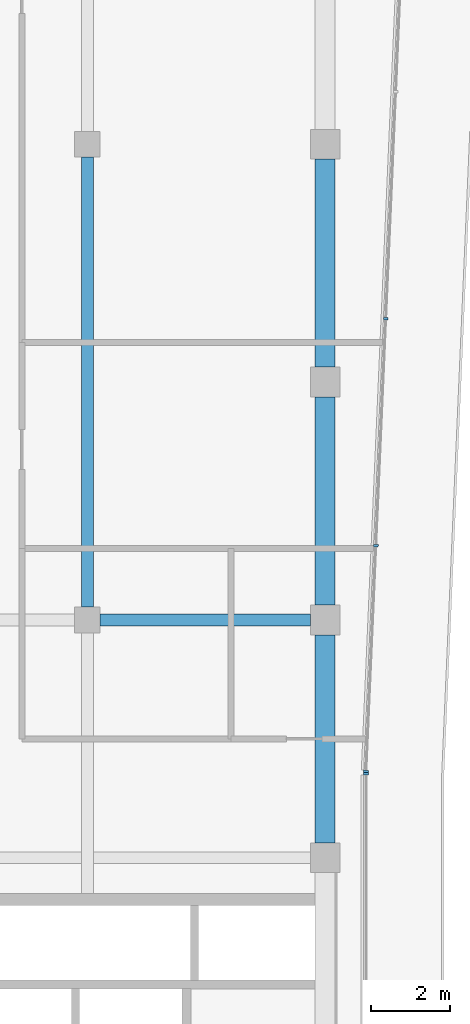
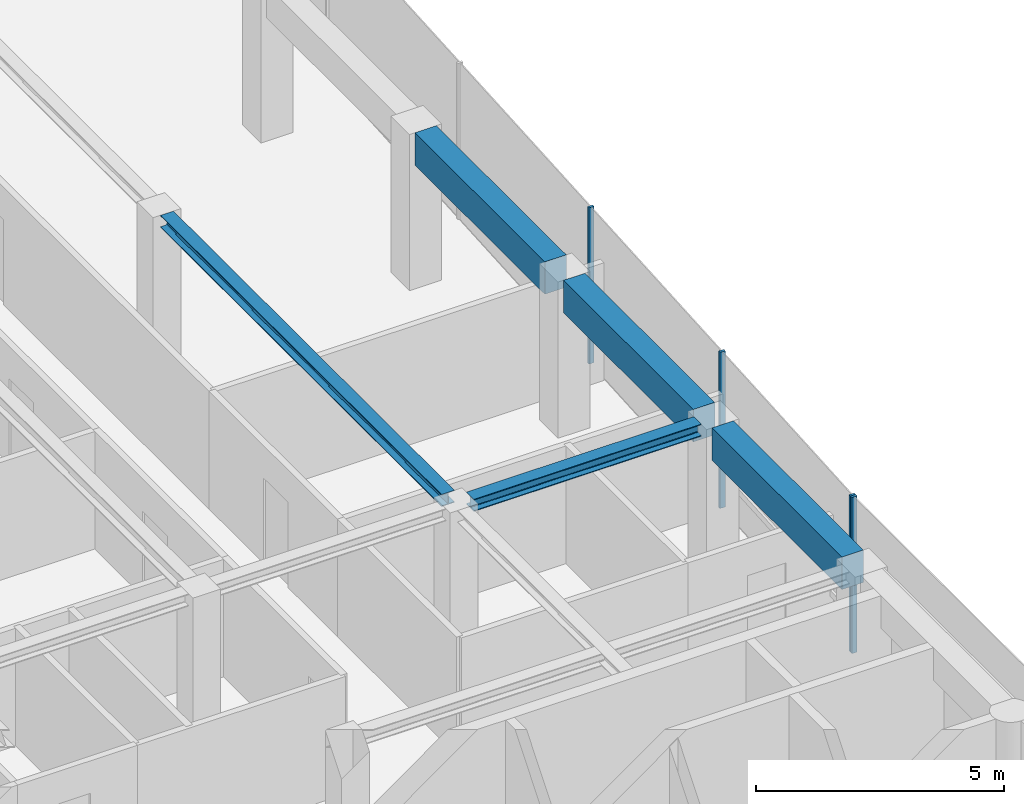
# One storey, part 7 of 19: 5 beams, 4 members, 2 elements without a shape of their own.
"""IFC4 building model written with IfcOpenShell, lengths in metres."""

from ifc_helpers import new_model, si_unit, direction, frame, origin, origin_2d, place, context, subcontext, project, spatial, rectangle, i_section, extrude, material, layer, layer_set, material_profile, profile_set, type_object, element, aggregate, save


model = new_model("IFC4")

# Units and contexts
model_context = context("Model", 3, precision=1e-05, world=origin(), true_north=direction((0.0, 1.0)))
body_context = subcontext(model_context, "Body", "Model", "MODEL_VIEW")
ifc_project = project(units=[si_unit("LENGTHUNIT", "METRE"), si_unit("AREAUNIT", "SQUARE_METRE"), si_unit("VOLUMEUNIT", "CUBIC_METRE"), si_unit("PLANEANGLEUNIT", "RADIAN"), si_unit("MASSUNIT", "GRAM", prefix="KILO")], contexts=[model_context])

# Site, building, storey
site_placement = place(None, origin())
site = spatial("IfcSite", under=ifc_project, at=site_placement, CompositionType="ELEMENT")
building_placement = place(site_placement, origin())
building = spatial("IfcBuilding", under=site, at=building_placement, Name="Welwitschia Terrace Campus", CompositionType="ELEMENT")
storey_placement = place(building_placement, frame((0.0, 0.0, 276.800048828125)))
storey = spatial("IfcBuildingStorey", under=building, at=storey_placement, Name="L61", CompositionType="ELEMENT", Elevation=276.800048828125)

# Beams
ifc_material_1 = material(Name="Steel S355", Category="steel")
ifc_material_profile_1 = material_profile(ifc_material_1, i_section(OverallWidth=0.300048828125, OverallDepth=0.300048828125, WebThickness=0.010986328125, FlangeThickness=0.01904296875, FilletRadius=0.027099609375, at=origin_2d()))
ifc_profile_set_1 = profile_set([ifc_material_profile_1], Name="Steel S355")
beam_type_1 = type_object("IfcBeamType", Name="Interior girder HE 300 B", PredefinedType="BEAM", material=ifc_profile_set_1)
beam_1_placement = place(storey_placement, frame((18.325439453125, 32.0, 3.699951171875), z_axis=(1.0, 0.0, 0.0), x_axis=(0.0, 1.0, 0.0)))
element("IfcBeam", 1, at=beam_1_placement, inside=storey, type_object=beam_type_1, Name="Girder GB6", PredefinedType="BEAM", context=body_context, shape_type="SweptSolid", body=[
    extrude(i_section(OverallWidth=0.300048828125, OverallDepth=0.300048828125, WebThickness=0.010986328125, FlangeThickness=0.01904296875, FilletRadius=0.027099609375, at=origin_2d()), origin(), (0.0, 0.0, 1.0), 5.30908203125),
])
beam_2_placement = place(storey_placement, frame((18.0, 32.325439453125, 3.699951171875), z_axis=(0.0, 1.0, 0.0), x_axis=(-1.0, 0.0, 0.0)))
element("IfcBeam", 2, at=beam_2_placement, inside=storey, type_object=beam_type_1, Name="Girder GB6", PredefinedType="BEAM", context=body_context, shape_type="SweptSolid", body=[
    extrude(i_section(OverallWidth=0.300048828125, OverallDepth=0.300048828125, WebThickness=0.010986328125, FlangeThickness=0.01904296875, FilletRadius=0.027099609375, at=origin_2d()), origin(), (0.0, 0.0, 1.0), 11.34912109375),
])

# Curtain wall, member
ifc_material_2 = material(Name="Bronze anodised aluminium", Category="aluminium")
ifc_layer = layer(ifc_material_2, 0.1201171875)
ifc_layer_set = layer_set([ifc_layer], Name="Bronze anodised aluminium")
curtain_wall_type = type_object("IfcCurtainWallType", Name="Curtain wall CW2 tower 6000", PredefinedType="NOTDEFINED", material=ifc_layer_set)
curtain_wall_1_placement = place(storey_placement, origin())
curtain_wall_1 = element("IfcCurtainWall", 3, at=curtain_wall_1_placement, inside=storey, type_object=curtain_wall_type, Name="CW L61.6.0", PredefinedType="NOTDEFINED")
ifc_material_3 = material(Name="Bronze anodised aluminium", Category="aluminium")
ifc_material_profile_2 = material_profile(ifc_material_3, rectangle(XDim=0.1201171875, YDim=0.06005859375, at=origin_2d()))
ifc_profile_set_2 = profile_set([ifc_material_profile_2], Name="Bronze anodised aluminium")
member_type = type_object("IfcMemberType", Name="Mullion 60x120", PredefinedType="MULLION", material=ifc_profile_set_2)
member_1_placement = place(storey_placement, frame((25.030029296875, 28.116943359375, 0.0), z_axis=(0.0, 0.0, 1.0), x_axis=(-1.0, 0.0, 0.0)))
member_1 = element("IfcMember", 4, at=member_1_placement, type_object=member_type, Name="Mullion L61.6.0.1", PredefinedType="MULLION", context=body_context, shape_type="SweptSolid", body=[
    extrude(rectangle(XDim=0.1201171875, YDim=0.06005859375, at=origin_2d()), origin(), (0.0, 0.0, 1.0), 3.849853515625),
])
aggregate(curtain_wall_1, [member_1])

# Curtain wall, members
curtain_wall_2_placement = place(storey_placement, origin())
curtain_wall_2 = element("IfcCurtainWall", 5, at=curtain_wall_2_placement, inside=storey, type_object=curtain_wall_type, Name="CW L61.7.0", PredefinedType="NOTDEFINED")
member_2_placement = place(storey_placement, frame((25.03125, 28.1767578125, 0.0), z_axis=(0.0, 0.0, 1.0), x_axis=(-0.999048221582, 0.043619387365, 0.0)))
member_2 = element("IfcMember", 6, at=member_2_placement, type_object=member_type, Name="Mullion L61.7.0.0", PredefinedType="MULLION", context=body_context, shape_type="SweptSolid", body=[
    extrude(rectangle(XDim=0.1201171875, YDim=0.06005859375, at=origin_2d()), origin(), (0.0, 0.0, 1.0), 3.849853515625),
])
member_3_placement = place(storey_placement, frame((25.280029296875, 33.87353515625, 0.0), z_axis=(0.0, 0.0, 1.0), x_axis=(-0.999048221582, 0.043619387365, 0.0)))
member_3 = element("IfcMember", 7, at=member_3_placement, type_object=member_type, Name="Mullion L61.7.0.1", PredefinedType="MULLION", context=body_context, shape_type="SweptSolid", body=[
    extrude(rectangle(XDim=0.1201171875, YDim=0.06005859375, at=origin_2d()), origin(), (0.0, 0.0, 1.0), 3.849853515625),
])
member_4_placement = place(storey_placement, frame((25.530029296875, 39.600341796875, 0.0), z_axis=(0.0, 0.0, 1.0), x_axis=(-0.999048221582, 0.043619387365, 0.0)))
member_4 = element("IfcMember", 8, at=member_4_placement, type_object=member_type, Name="Mullion L61.7.0.2", PredefinedType="MULLION", context=body_context, shape_type="SweptSolid", body=[
    extrude(rectangle(XDim=0.1201171875, YDim=0.06005859375, at=origin_2d()), origin(), (0.0, 0.0, 1.0), 3.849853515625),
])
aggregate(curtain_wall_2, [member_2, member_3, member_4])

# Beams
ifc_material_4 = material(Name="Concrete C50/60", Category="concrete")
ifc_material_profile_3 = material_profile(ifc_material_4, rectangle(XDim=0.5, YDim=0.800048828125, at=origin_2d()))
ifc_profile_set_3 = profile_set([ifc_material_profile_3], Name="Concrete C50/60")
beam_type_2 = type_object("IfcBeamType", Name="Ring spandrel 500x800", PredefinedType="SPANDREL", material=ifc_profile_set_3)
for number, where, z_axis, x_axis, name in (
    (9, (24.0, 26.37548828125, 3.449951171875), (0.0, 1.0, 0.0), (-1.0, 0.0, 0.0), "Spandrel SP4"),
    (10, (24.0, 32.37548828125, 3.449951171875), (0.0, 1.0, 0.0), (-1.0, 0.0, 0.0), "Spandrel SP4"),
    (11, (24.0, 38.37548828125, 3.449951171875), (0.0, 1.0, 0.0), (-1.0, 0.0, 0.0), "Spandrel SP4"),
):
    element("IfcBeam", number, at=place(storey_placement, frame(where, z_axis=z_axis, x_axis=x_axis)), inside=storey, type_object=beam_type_2, Name=name, PredefinedType="SPANDREL", context=body_context, shape_type="SweptSolid", body=[
        extrude(rectangle(XDim=0.5, YDim=0.800048828125, at=origin_2d()), origin(), (0.0, 0.0, 1.0), 5.2490234375),
    ])

save(model, "model.ifc")
